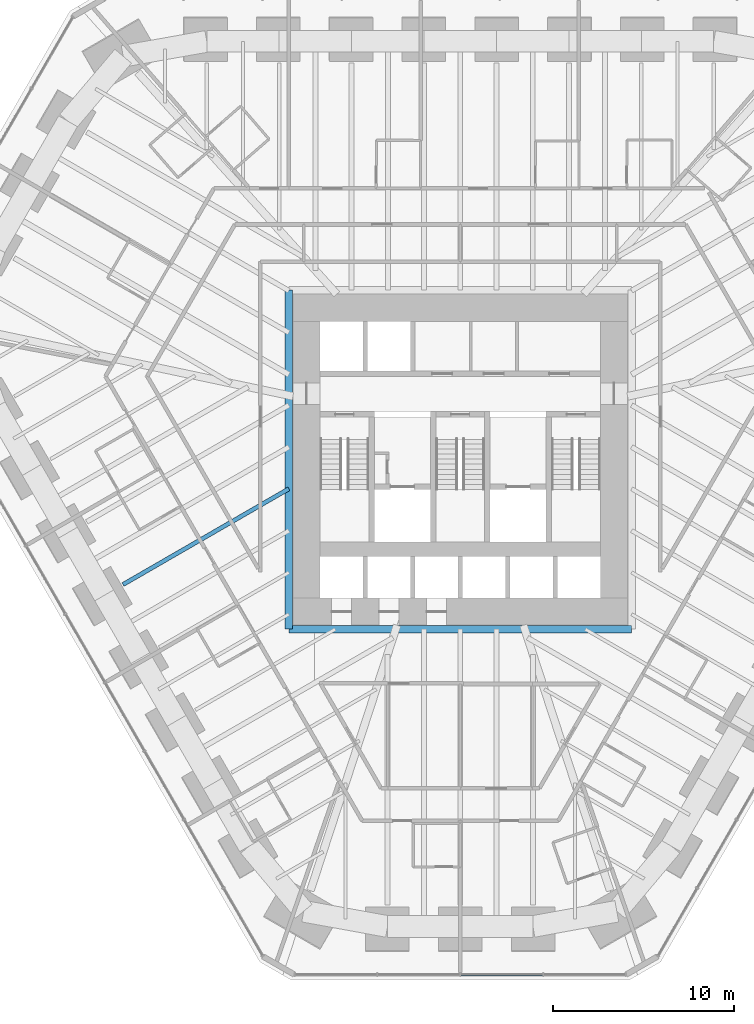
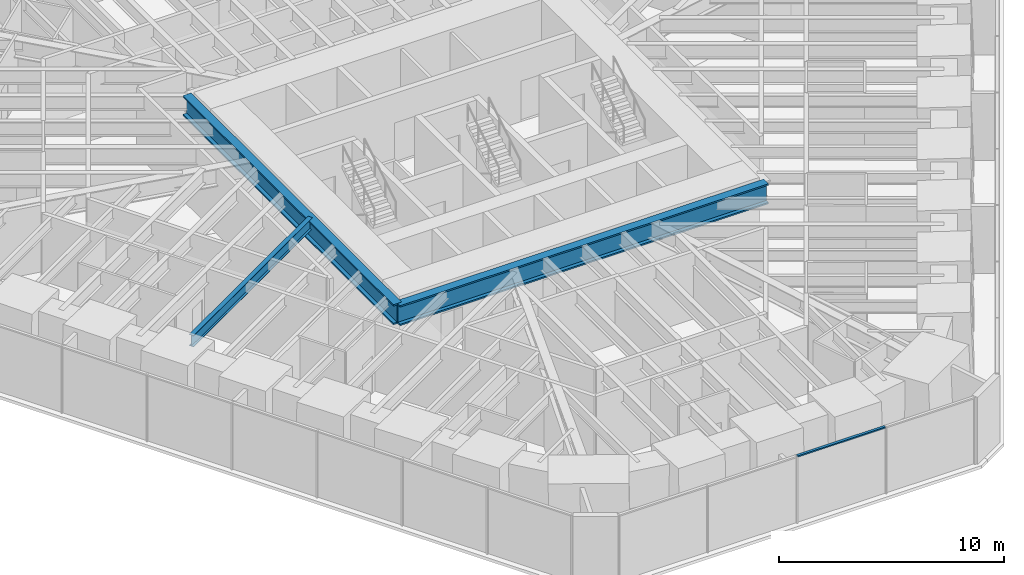
# One storey, part 4 of 17: 3 beams, 1 member, 1 element without a shape of its own.
"""IFC4 building model written with IfcOpenShell, lengths in metres."""

from ifc_helpers import new_model, si_unit, direction, frame, origin, origin_2d, place, context, subcontext, project, spatial, rectangle, i_section, extrude, material, material_profile, profile_set, type_object, element, aggregate, save


model = new_model("IFC4")

# Units and contexts
model_context = context("Model", 3, precision=1e-05, world=origin(), true_north=direction((0.0, 1.0)))
body_context = subcontext(model_context, "Body", "Model", "MODEL_VIEW")
ifc_project = project(units=[si_unit("LENGTHUNIT", "METRE"), si_unit("AREAUNIT", "SQUARE_METRE"), si_unit("VOLUMEUNIT", "CUBIC_METRE"), si_unit("PLANEANGLEUNIT", "RADIAN"), si_unit("MASSUNIT", "GRAM", prefix="KILO")], contexts=[model_context])

# Site, building, storey
site_placement = place(None, origin())
site = spatial("IfcSite", under=ifc_project, at=site_placement, CompositionType="ELEMENT")
building_placement = place(site_placement, origin())
building = spatial("IfcBuilding", under=site, at=building_placement, Name="Sandreach Pilgrim Tower", CompositionType="ELEMENT")
storey_placement = place(building_placement, frame((0.0, 0.0, 83.800048828125)))
storey = spatial("IfcBuildingStorey", under=building, at=storey_placement, Name="L20", CompositionType="ELEMENT", Elevation=83.800048828125)

# Curtain wall, member
ifc_material_1 = material(Name="Aluminium framed curtain wall", Category="aluminium")
curtain_wall_type = type_object("IfcCurtainWallType", Name="Hostel tower curtain wall", PredefinedType="NOTDEFINED", material=ifc_material_1)
curtain_wall_placement = place(storey_placement, origin())
curtain_wall = element("IfcCurtainWall", 1, at=curtain_wall_placement, inside=storey, type_object=curtain_wall_type, Name="CW-1 L20 S", PredefinedType="NOTDEFINED")
ifc_material_2 = material(Name="Aluminium extrusion", Category="aluminium")
ifc_material_profile_1 = material_profile(ifc_material_2, rectangle(XDim=0.139892578125, YDim=0.070068359375, at=origin_2d()), Name="CW-1T 140X70")
ifc_profile_set_1 = profile_set([ifc_material_profile_1], Name="Aluminium extrusion")
member_type = type_object("IfcMemberType", Name="CW-1 transom", PredefinedType="USERDEFINED", material=ifc_profile_set_1)
member_placement = place(storey_placement, frame((4.553466796875, -30.010986328125, 3.60498046875), z_axis=(-1.0, 0.0, 0.0), x_axis=(0.0, -1.0, 0.0)))
member = element("IfcMember", 2, at=member_placement, type_object=member_type, Name="CW-1 head transom 2", ObjectType="TRANSOM", PredefinedType="USERDEFINED", context=body_context, shape_type="SweptSolid", body=[
    extrude(rectangle(XDim=0.139892578125, YDim=0.070068359375, at=origin_2d()), origin(), (0.0, 0.0, 1.0), 4.52099609375),
])
aggregate(curtain_wall, [member])

# Beams
ifc_material_3 = material(Name="Steel ASTM A992 Grade 50", Category="steel")
ifc_material_profile_2 = material_profile(ifc_material_3, i_section(OverallWidth=0.424072265625, OverallDepth=1.09228515625, WebThickness=0.04541015625, FlangeThickness=0.08203125, at=origin_2d()), Name="W40X593")
ifc_profile_set_2 = profile_set([ifc_material_profile_2], Name="Steel ASTM A992 Grade 50")
beam_type_1 = type_object("IfcBeamType", Name="Core edge beam W40X593", PredefinedType="BEAM", material=ifc_profile_set_2)
beam_1_placement = place(storey_placement, frame((9.47216796875, -10.922119140625, 3.09375), z_axis=(-1.0, 0.0, 0.0), x_axis=(0.0, -1.0, 0.0)))
element("IfcBeam", 3, at=beam_1_placement, inside=storey, type_object=beam_type_1, Name="BM L20 CES", PredefinedType="BEAM", context=body_context, shape_type="SweptSolid", body=[
    extrude(i_section(OverallWidth=0.424072265625, OverallDepth=1.09228515625, WebThickness=0.04541015625, FlangeThickness=0.08203125, at=origin_2d()), origin(), (0.0, 0.0, 1.0), 18.9443359375),
])
beam_2_placement = place(storey_placement, frame((-9.47216796875, -10.922119140625, 3.09375), z_axis=(0.0, 1.0, 0.0), x_axis=(-1.0, 0.0, 0.0)))
element("IfcBeam", 4, at=beam_2_placement, inside=storey, type_object=beam_type_1, Name="BM L20 CEW", PredefinedType="BEAM", context=body_context, shape_type="SweptSolid", body=[
    extrude(i_section(OverallWidth=0.424072265625, OverallDepth=1.09228515625, WebThickness=0.04541015625, FlangeThickness=0.08203125, at=origin_2d()), origin(), (0.0, 0.0, 1.0), 18.744140625),
])
ifc_material_4 = material(Name="Steel ASTM A992 Grade 50", Category="steel")
ifc_material_profile_3 = material_profile(ifc_material_4, i_section(OverallWidth=0.23046875, OverallDepth=0.6171875, WebThickness=0.01318359375, FlangeThickness=0.022216796875, at=origin_2d()), Name="W24X94")
ifc_profile_set_3 = profile_set([ifc_material_profile_3], Name="Steel ASTM A992 Grade 50")
beam_type_2 = type_object("IfcBeamType", Name="Floor beam W24X94", PredefinedType="BEAM", material=ifc_profile_set_3)
beam_3_placement = place(storey_placement, frame((-18.64306640625, -8.45263671875, 3.331298828125), z_axis=(0.866021265955, 0.500007166863, 0.0), x_axis=(-0.500007166863, 0.866021265955, 0.0)))
element("IfcBeam", 5, at=beam_3_placement, inside=storey, type_object=beam_type_2, Name="BM L20 F31", PredefinedType="BEAM", context=body_context, shape_type="SweptSolid", body=[
    extrude(i_section(OverallWidth=0.23046875, OverallDepth=0.6171875, WebThickness=0.01318359375, FlangeThickness=0.022216796875, at=origin_2d()), origin(), (0.0, 0.0, 1.0), 10.589599609375),
])

save(model, "model.ifc")
